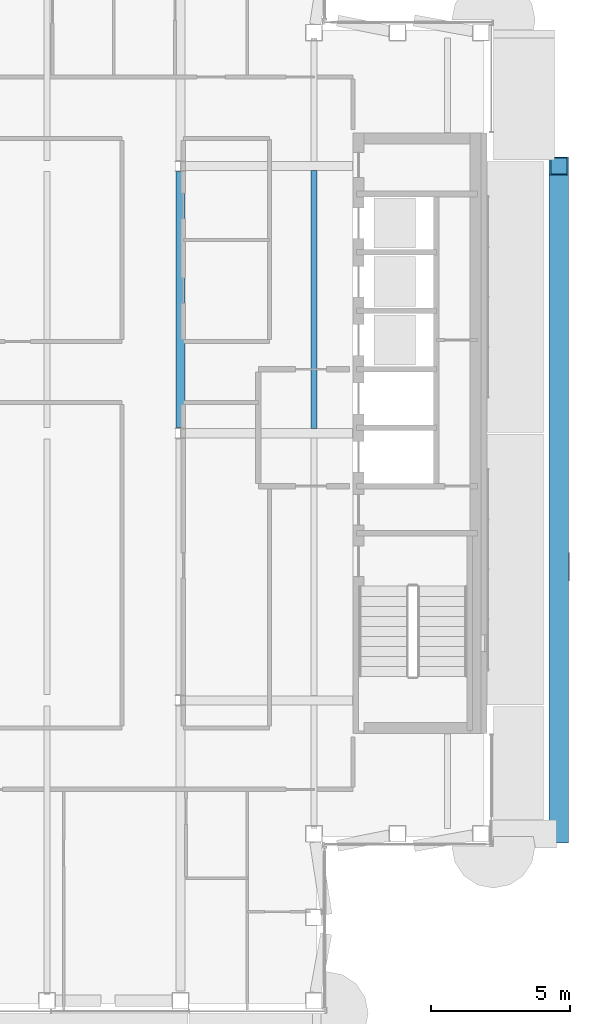
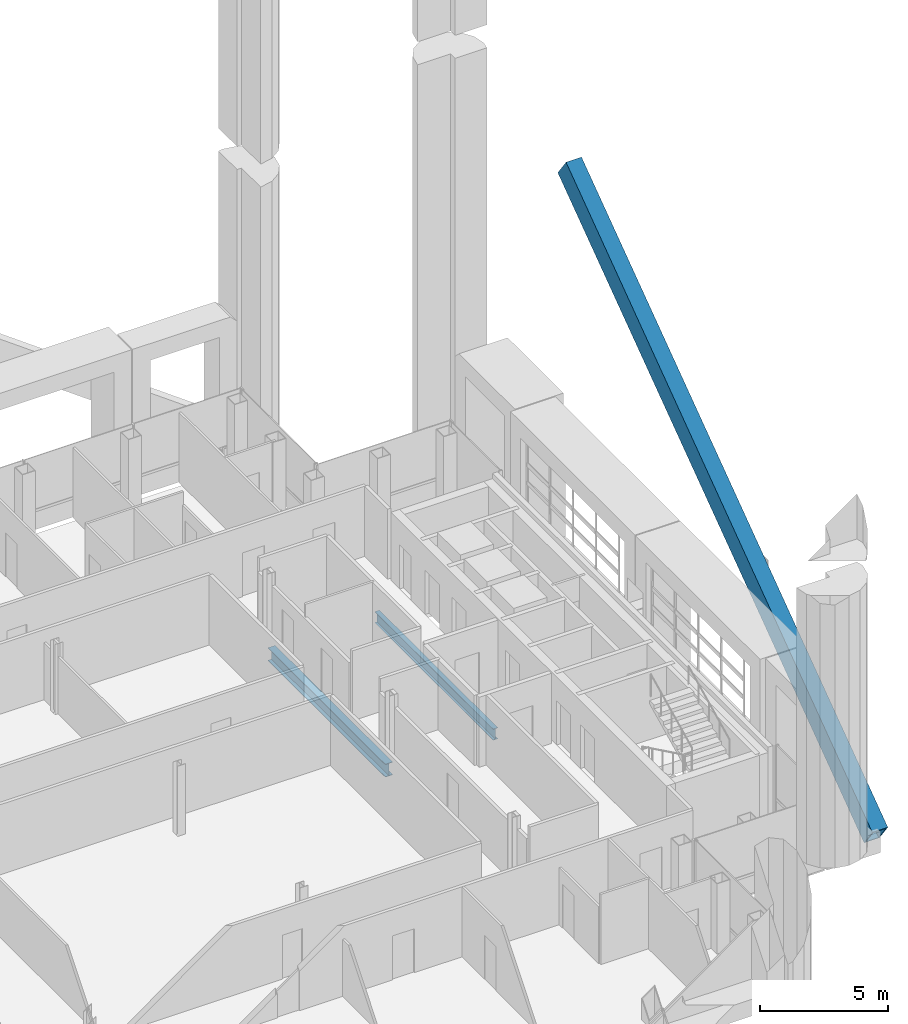
# One storey, part 8 of 29: 2 beams, 1 member.
"""IFC4 building model written with IfcOpenShell, lengths in metres."""

from ifc_helpers import new_model, si_unit, direction, frame, origin, origin_2d, place, context, subcontext, project, spatial, hollow_rectangle, i_section, extrude, material, material_profile, profile_set, type_object, element, save


model = new_model("IFC4")

# Units and contexts
model_context = context("Model", 3, precision=1e-05, world=origin(), true_north=direction((0.0, 1.0)))
body_context = subcontext(model_context, "Body", "Model", "MODEL_VIEW")
ifc_project = project(units=[si_unit("LENGTHUNIT", "METRE"), si_unit("AREAUNIT", "SQUARE_METRE"), si_unit("VOLUMEUNIT", "CUBIC_METRE"), si_unit("PLANEANGLEUNIT", "RADIAN"), si_unit("MASSUNIT", "GRAM", prefix="KILO")], contexts=[model_context])

# Site, building, storey
site_placement = place(None, origin())
site = spatial("IfcSite", under=ifc_project, at=site_placement, CompositionType="ELEMENT")
building_placement = place(site_placement, origin())
building = spatial("IfcBuilding", under=site, at=building_placement, Name="Cobrizo Arcos Hotel Tower", CompositionType="ELEMENT")
storey_placement = place(building_placement, frame((0.0, 0.0, 241.0)))
storey = spatial("IfcBuildingStorey", under=building, at=storey_placement, Name="L63", CompositionType="ELEMENT", Elevation=241.0)

# Member
ifc_material_1 = material(Name="Steel ASTM A572 Grade 50", Category="steel")
ifc_material_profile_1 = material_profile(ifc_material_1, hollow_rectangle(XDim=0.699951171875, YDim=1.10009765625, WallThickness=0.06005859375, at=origin_2d()), Name="BOX 700X1100X60")
ifc_profile_set_1 = profile_set([ifc_material_profile_1], Name="Steel ASTM A572 Grade 50")
member_type = type_object("IfcMemberType", Name="BOX 700X1100X60 perimeter brace", PredefinedType="BRACE", material=ifc_profile_set_1)
member_placement = place(storey_placement, frame((23.199951171875, -14.39990234375, 0.5), z_axis=(0.0, 0.808007530216, 0.589172157449), x_axis=(-1.0, 0.0, 0.0)))
element("IfcMember", 1, at=member_placement, inside=storey, type_object=member_type, Name="Perimeter brace PBR5, zone Z5, east face, no. 00", PredefinedType="BRACE", context=body_context, shape_type="SweptSolid", body=[
    extrude(hollow_rectangle(XDim=0.699951171875, YDim=1.10009765625, WallThickness=0.06005859375, at=origin_2d()), origin(), (0.0, 0.0, 1.0), 29.70263671875),
])

# Beams
ifc_material_2 = material(Name="Steel ASTM A992 Grade 50", Category="steel")
ifc_material_profile_2 = material_profile(ifc_material_2, i_section(OverallWidth=0.209228515625, OverallDepth=0.533447265625, WebThickness=0.01025390625, FlangeThickness=0.015625, at=origin_2d()), Name="W21X62")
ifc_profile_set_2 = profile_set([ifc_material_profile_2], Name="Steel ASTM A992 Grade 50")
beam_type_1 = type_object("IfcBeamType", Name="W21X62 joist", PredefinedType="JOIST", material=ifc_profile_set_2)
beam_1_placement = place(storey_placement, frame((14.39990234375, 0.163818359375, -0.416748046875), z_axis=(0.0, 1.0, 0.0), x_axis=(-1.0, 0.0, 0.0)))
element("IfcBeam", 2, at=beam_1_placement, inside=storey, type_object=beam_type_1, Name="Floor joist J1, L63, no. 017", PredefinedType="JOIST", context=body_context, shape_type="SweptSolid", body=[
    extrude(i_section(OverallWidth=0.209228515625, OverallDepth=0.533447265625, WebThickness=0.01025390625, FlangeThickness=0.015625, at=origin_2d()), origin(), (0.0, 0.0, 1.0), 9.272216796875),
])
ifc_material_profile_3 = material_profile(ifc_material_2, i_section(OverallWidth=0.32763671875, OverallDepth=0.622314453125, WebThickness=0.015380859375, FlangeThickness=0.0244140625, at=origin_2d()), Name="W24X131")
ifc_profile_set_3 = profile_set([ifc_material_profile_3], Name="Steel ASTM A992 Grade 50")
beam_type_2 = type_object("IfcBeamType", Name="W24X131 girder", PredefinedType="BEAM", material=ifc_profile_set_3)
beam_2_placement = place(storey_placement, frame((9.60009765625, 0.200439453125, -0.461181640625), z_axis=(0.0, 1.0, 0.0), x_axis=(-1.0, 0.0, 0.0)))
element("IfcBeam", 3, at=beam_2_placement, inside=storey, type_object=beam_type_2, Name="Floor girder G1, L63, no. 017", PredefinedType="BEAM", context=body_context, shape_type="SweptSolid", body=[
    extrude(i_section(OverallWidth=0.32763671875, OverallDepth=0.622314453125, WebThickness=0.015380859375, FlangeThickness=0.0244140625, at=origin_2d()), origin(), (0.0, 0.0, 1.0), 9.198974609375),
])

save(model, "model.ifc")
